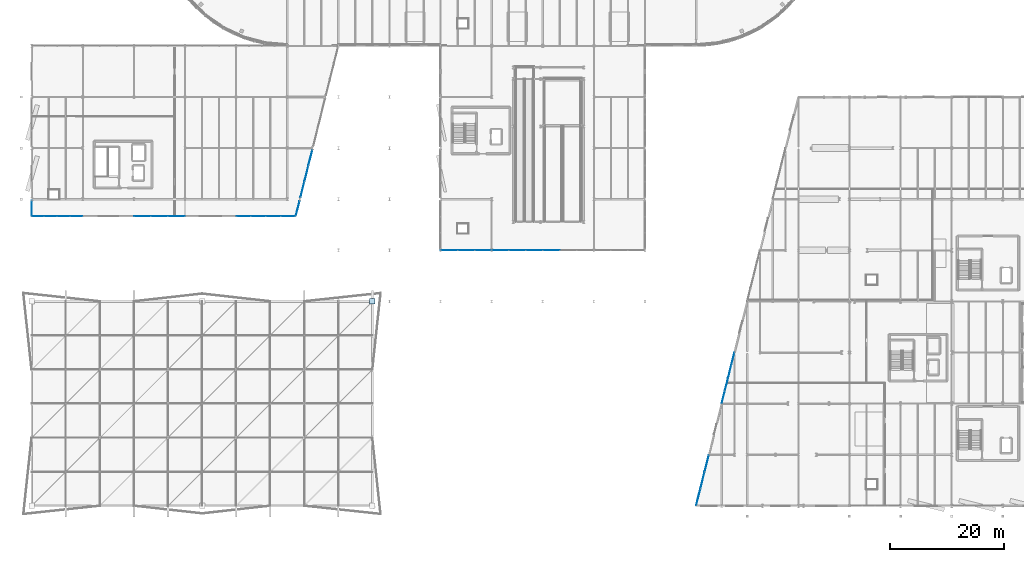
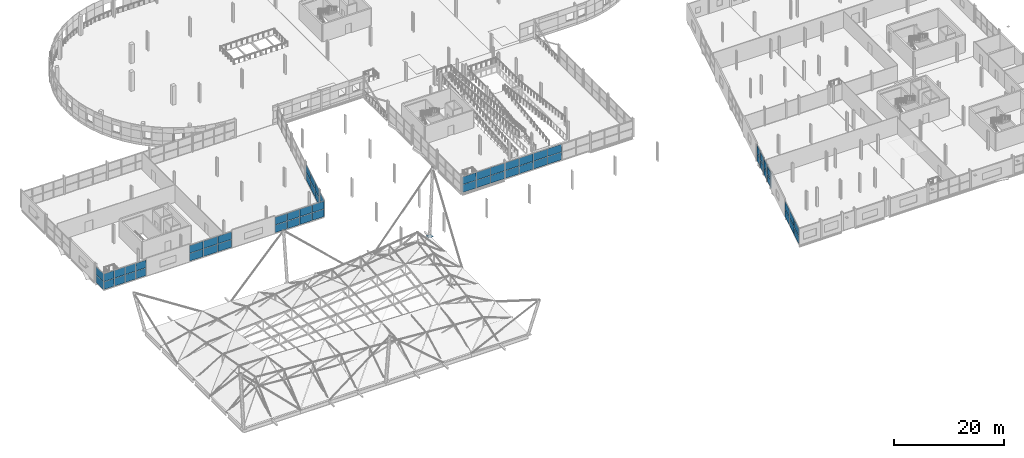
# One storey, part 100 of 132: 61 plates, 10 elements without a shape of their own.
"""IFC4 building model written with IfcOpenShell, lengths in metres."""

from ifc_helpers import new_model, si_unit, direction, frame, origin, origin_2d, place, context, subcontext, project, spatial, rectangle, extrude, material, layer, layer_set, type_object, element, aggregate, save


model = new_model("IFC4")

# Units and contexts
model_context = context("Model", 3, precision=1e-05, world=origin(), true_north=direction((0.0, 1.0)))
body_context = subcontext(model_context, "Body", "Model", "MODEL_VIEW")
ifc_project = project(units=[si_unit("LENGTHUNIT", "METRE"), si_unit("AREAUNIT", "SQUARE_METRE"), si_unit("VOLUMEUNIT", "CUBIC_METRE"), si_unit("PLANEANGLEUNIT", "RADIAN"), si_unit("MASSUNIT", "GRAM", prefix="KILO")], contexts=[model_context])

# Site, building, storey
site_placement = place(None, origin())
site = spatial("IfcSite", under=ifc_project, at=site_placement, CompositionType="ELEMENT")
building_placement = place(site_placement, origin())
building = spatial("IfcBuilding", under=site, at=building_placement, Name="Deido Ridge Mobility Hub", CompositionType="ELEMENT")
storey_placement = place(building_placement, frame((0.0, 0.0, 8.39990234375)))
storey = spatial("IfcBuildingStorey", under=building, at=storey_placement, Name="L02", CompositionType="ELEMENT", Elevation=8.39990234375)

# Curtain wall, plates
ifc_material_1 = material(Name="Anodised aluminium EN AW-6063 T6", Category="aluminium")
ifc_layer_1 = layer(ifc_material_1, 0.179931640625, Name="Anodised aluminium EN AW-6063 T6")
ifc_layer_set_1 = layer_set([ifc_layer_1], Name="Anodised aluminium EN AW-6063 T6")
curtain_wall_type_1 = type_object("IfcCurtainWallType", Name="CW-UF-2", PredefinedType="USERDEFINED", material=ifc_layer_set_1)
curtain_wall_1_placement = place(storey_placement, origin())
curtain_wall_1 = element("IfcCurtainWall", 1, at=curtain_wall_1_placement, inside=storey, type_object=curtain_wall_type_1, Name="Unitised curtain wall CW2", ObjectType="UNITISED FACADE", PredefinedType="USERDEFINED")
ifc_material_2 = material(Name="Laminated solar-control low-E glass", Category="glass")
ifc_layer_2 = layer(ifc_material_2, 0.02587890625, Name="Laminated solar-control low-E glass")
ifc_layer_set_2 = layer_set([ifc_layer_2], Name="Laminated solar-control low-E glass")
plate_type_1 = type_object("IfcPlateType", Name="PLT-CWP-26", PredefinedType="CURTAIN_PANEL", material=ifc_layer_set_2)
plate_1_placement = place(storey_placement, frame((121.7841796875, 19.13720703125, 0.050048828125), z_axis=(0.0, 0.0, 1.0), x_axis=(0.242535625038, 0.970142500145, 0.0)))
plate_1 = element("IfcPlate", 2, at=plate_1_placement, type_object=plate_type_1, Name="CW2 panel 1.1", PredefinedType="CURTAIN_PANEL", context=body_context, shape_type="SweptSolid", body=[
    extrude(rectangle(XDim=2.244140625, YDim=0.02587890625, at=origin_2d()), origin(), (0.0, 0.0, 1.0), 1.72509765625),
])
plate_2_placement = place(storey_placement, frame((121.7841796875, 19.13720703125, 1.824951171875), z_axis=(0.0, 0.0, 1.0), x_axis=(0.242535625038, 0.970142500145, 0.0)))
plate_2 = element("IfcPlate", 3, at=plate_2_placement, type_object=plate_type_1, Name="CW2 panel 1.2", PredefinedType="CURTAIN_PANEL", context=body_context, shape_type="SweptSolid", body=[
    extrude(rectangle(XDim=2.244140625, YDim=0.02587890625, at=origin_2d()), origin(), (0.0, 0.0, 1.0), 1.72509765625),
])
plate_3_placement = place(storey_placement, frame((122.34375, 21.375, 0.050048828125), z_axis=(0.0, 0.0, 1.0), x_axis=(0.242535625038, 0.970142500145, 0.0)))
plate_3 = element("IfcPlate", 4, at=plate_3_placement, type_object=plate_type_1, Name="CW2 panel 2.1", PredefinedType="CURTAIN_PANEL", context=body_context, shape_type="SweptSolid", body=[
    extrude(rectangle(XDim=2.269287109375, YDim=0.02587890625, at=origin_2d()), origin(), (0.0, 0.0, 1.0), 1.72509765625),
])
plate_4_placement = place(storey_placement, frame((122.34375, 21.375, 1.824951171875), z_axis=(0.0, 0.0, 1.0), x_axis=(0.242535625038, 0.970142500145, 0.0)))
plate_4 = element("IfcPlate", 5, at=plate_4_placement, type_object=plate_type_1, Name="CW2 panel 2.2", PredefinedType="CURTAIN_PANEL", context=body_context, shape_type="SweptSolid", body=[
    extrude(rectangle(XDim=2.269287109375, YDim=0.02587890625, at=origin_2d()), origin(), (0.0, 0.0, 1.0), 1.72509765625),
])
plate_5_placement = place(storey_placement, frame((122.90625, 23.625, 0.050048828125), z_axis=(0.0, 0.0, 1.0), x_axis=(0.242535625038, 0.970142500145, 0.0)))
plate_5 = element("IfcPlate", 6, at=plate_5_placement, type_object=plate_type_1, Name="CW2 panel 3.1", PredefinedType="CURTAIN_PANEL", context=body_context, shape_type="SweptSolid", body=[
    extrude(rectangle(XDim=2.269287109375, YDim=0.02587890625, at=origin_2d()), origin(), (0.0, 0.0, 1.0), 1.72509765625),
])
plate_6_placement = place(storey_placement, frame((122.90625, 23.625, 1.824951171875), z_axis=(0.0, 0.0, 1.0), x_axis=(0.242535625038, 0.970142500145, 0.0)))
plate_6 = element("IfcPlate", 7, at=plate_6_placement, type_object=plate_type_1, Name="CW2 panel 3.2", PredefinedType="CURTAIN_PANEL", context=body_context, shape_type="SweptSolid", body=[
    extrude(rectangle(XDim=2.269287109375, YDim=0.02587890625, at=origin_2d()), origin(), (0.0, 0.0, 1.0), 1.72509765625),
])
plate_7_placement = place(storey_placement, frame((123.4658203125, 25.86279296875, 0.050048828125), z_axis=(0.0, 0.0, 1.0), x_axis=(0.242535625038, 0.970142500145, 0.0)))
plate_7 = element("IfcPlate", 8, at=plate_7_placement, type_object=plate_type_1, Name="CW2 panel 4.1", PredefinedType="CURTAIN_PANEL", context=body_context, shape_type="SweptSolid", body=[
    extrude(rectangle(XDim=2.244140625, YDim=0.02587890625, at=origin_2d()), origin(), (0.0, 0.0, 1.0), 1.72509765625),
])
plate_8_placement = place(storey_placement, frame((123.4658203125, 25.86279296875, 1.824951171875), z_axis=(0.0, 0.0, 1.0), x_axis=(0.242535625038, 0.970142500145, 0.0)))
plate_8 = element("IfcPlate", 9, at=plate_8_placement, type_object=plate_type_1, Name="CW2 panel 4.2", PredefinedType="CURTAIN_PANEL", context=body_context, shape_type="SweptSolid", body=[
    extrude(rectangle(XDim=2.244140625, YDim=0.02587890625, at=origin_2d()), origin(), (0.0, 0.0, 1.0), 1.72509765625),
])
aggregate(curtain_wall_1, [plate_1, plate_2, plate_3, plate_4, plate_5, plate_6, plate_7, plate_8])

ifc_layer_3 = layer(ifc_material_1, 0.195068359375, Name="Anodised aluminium EN AW-6063 T6")
ifc_layer_set_3 = layer_set([ifc_layer_3], Name="Anodised aluminium EN AW-6063 T6")
curtain_wall_type_2 = type_object("IfcCurtainWallType", Name="CW-UF-3", PredefinedType="USERDEFINED", material=ifc_layer_set_3)
curtain_wall_2_placement = place(storey_placement, origin())
curtain_wall_2 = element("IfcCurtainWall", 10, at=curtain_wall_2_placement, inside=storey, type_object=curtain_wall_type_2, Name="Unitised curtain wall CW3", ObjectType="UNITISED FACADE", PredefinedType="USERDEFINED")
ifc_layer_4 = layer(ifc_material_2, 0.031005859375, Name="Laminated solar-control low-E glass")
ifc_layer_set_4 = layer_set([ifc_layer_4], Name="Laminated solar-control low-E glass")
plate_type_2 = type_object("IfcPlateType", Name="PLT-CWP-31", PredefinedType="CURTAIN_PANEL", material=ifc_layer_set_4)
plate_9_placement = place(storey_placement, frame((0.0, 52.375, 0.06005859375), z_axis=(0.0, 0.0, 1.0), x_axis=(0.0, 1.0, 0.0)))
plate_9 = element("IfcPlate", 11, at=plate_9_placement, type_object=plate_type_2, Name="CW3 panel 1.1", PredefinedType="CURTAIN_PANEL", context=body_context, shape_type="SweptSolid", body=[
    extrude(rectangle(XDim=2.6298828125, YDim=0.031005859375, at=origin_2d()), origin(), (0.0, 0.0, 1.0), 1.7099609375),
])
plate_10_placement = place(storey_placement, frame((0.0, 52.375, 1.830078125), z_axis=(0.0, 0.0, 1.0), x_axis=(0.0, 1.0, 0.0)))
plate_10 = element("IfcPlate", 12, at=plate_10_placement, type_object=plate_type_2, Name="CW3 panel 1.2", PredefinedType="CURTAIN_PANEL", context=body_context, shape_type="SweptSolid", body=[
    extrude(rectangle(XDim=2.6298828125, YDim=0.031005859375, at=origin_2d()), origin(), (0.0, 0.0, 1.0), 1.7099609375),
])
aggregate(curtain_wall_2, [plate_9, plate_10])

ifc_layer_5 = layer(ifc_material_1, 0.132080078125, Name="Anodised aluminium EN AW-6063 T6")
ifc_layer_set_5 = layer_set([ifc_layer_5], Name="Anodised aluminium EN AW-6063 T6")
curtain_wall_type_3 = type_object("IfcCurtainWallType", Name="CW-GS-1", PredefinedType="USERDEFINED", material=ifc_layer_set_5)
curtain_wall_3_placement = place(storey_placement, origin())
curtain_wall_3 = element("IfcCurtainWall", 13, at=curtain_wall_3_placement, inside=storey, type_object=curtain_wall_type_3, Name="Unitised curtain wall GS1", ObjectType="GLAZED SCREEN", PredefinedType="USERDEFINED")
ifc_layer_6 = layer(ifc_material_2, 0.032958984375, Name="Laminated solar-control low-E glass")
ifc_layer_set_6 = layer_set([ifc_layer_6], Name="Laminated solar-control low-E glass")
plate_type_3 = type_object("IfcPlateType", Name="PLT-CWP-33", PredefinedType="CURTAIN_PANEL", material=ifc_layer_set_6)
plate_11_placement = place(storey_placement, frame((1.141357421875, 51.0, 0.06494140625), z_axis=(0.0, 0.0, 1.0), x_axis=(1.0, 0.0, 0.0)))
plate_11 = element("IfcPlate", 14, at=plate_11_placement, type_object=plate_type_3, Name="GS1 panel 1.1", PredefinedType="CURTAIN_PANEL", context=body_context, shape_type="SweptSolid", body=[
    extrude(rectangle(XDim=2.152587890625, YDim=0.032958984375, at=origin_2d()), origin(), (0.0, 0.0, 1.0), 1.702392578125),
])
plate_12_placement = place(storey_placement, frame((1.141357421875, 51.0, 1.83251953125), z_axis=(0.0, 0.0, 1.0), x_axis=(1.0, 0.0, 0.0)))
plate_12 = element("IfcPlate", 15, at=plate_12_placement, type_object=plate_type_3, Name="GS1 panel 1.2", PredefinedType="CURTAIN_PANEL", context=body_context, shape_type="SweptSolid", body=[
    extrude(rectangle(XDim=2.152587890625, YDim=0.032958984375, at=origin_2d()), origin(), (0.0, 0.0, 1.0), 1.702392578125),
])
plate_13_placement = place(storey_placement, frame((3.375, 51.0, 0.06494140625), z_axis=(0.0, 0.0, 1.0), x_axis=(1.0, 0.0, 0.0)))
plate_13 = element("IfcPlate", 16, at=plate_13_placement, type_object=plate_type_3, Name="GS1 panel 2.1", PredefinedType="CURTAIN_PANEL", context=body_context, shape_type="SweptSolid", body=[
    extrude(rectangle(XDim=2.18505859375, YDim=0.032958984375, at=origin_2d()), origin(), (0.0, 0.0, 1.0), 1.702392578125),
])
plate_14_placement = place(storey_placement, frame((3.375, 51.0, 1.83251953125), z_axis=(0.0, 0.0, 1.0), x_axis=(1.0, 0.0, 0.0)))
plate_14 = element("IfcPlate", 17, at=plate_14_placement, type_object=plate_type_3, Name="GS1 panel 2.2", PredefinedType="CURTAIN_PANEL", context=body_context, shape_type="SweptSolid", body=[
    extrude(rectangle(XDim=2.18505859375, YDim=0.032958984375, at=origin_2d()), origin(), (0.0, 0.0, 1.0), 1.702392578125),
])
plate_15_placement = place(storey_placement, frame((5.625, 51.0, 0.06494140625), z_axis=(0.0, 0.0, 1.0), x_axis=(1.0, 0.0, 0.0)))
plate_15 = element("IfcPlate", 18, at=plate_15_placement, type_object=plate_type_3, Name="GS1 panel 3.1", PredefinedType="CURTAIN_PANEL", context=body_context, shape_type="SweptSolid", body=[
    extrude(rectangle(XDim=2.18505859375, YDim=0.032958984375, at=origin_2d()), origin(), (0.0, 0.0, 1.0), 1.702392578125),
])
plate_16_placement = place(storey_placement, frame((5.625, 51.0, 1.83251953125), z_axis=(0.0, 0.0, 1.0), x_axis=(1.0, 0.0, 0.0)))
plate_16 = element("IfcPlate", 19, at=plate_16_placement, type_object=plate_type_3, Name="GS1 panel 3.2", PredefinedType="CURTAIN_PANEL", context=body_context, shape_type="SweptSolid", body=[
    extrude(rectangle(XDim=2.18505859375, YDim=0.032958984375, at=origin_2d()), origin(), (0.0, 0.0, 1.0), 1.702392578125),
])
plate_17_placement = place(storey_placement, frame((7.858642578125, 51.0, 0.06494140625), z_axis=(0.0, 0.0, 1.0), x_axis=(1.0, 0.0, 0.0)))
plate_17 = element("IfcPlate", 20, at=plate_17_placement, type_object=plate_type_3, Name="GS1 panel 4.1", PredefinedType="CURTAIN_PANEL", context=body_context, shape_type="SweptSolid", body=[
    extrude(rectangle(XDim=2.152587890625, YDim=0.032958984375, at=origin_2d()), origin(), (0.0, 0.0, 1.0), 1.702392578125),
])
plate_18_placement = place(storey_placement, frame((7.858642578125, 51.0, 1.83251953125), z_axis=(0.0, 0.0, 1.0), x_axis=(1.0, 0.0, 0.0)))
plate_18 = element("IfcPlate", 21, at=plate_18_placement, type_object=plate_type_3, Name="GS1 panel 4.2", PredefinedType="CURTAIN_PANEL", context=body_context, shape_type="SweptSolid", body=[
    extrude(rectangle(XDim=2.152587890625, YDim=0.032958984375, at=origin_2d()), origin(), (0.0, 0.0, 1.0), 1.702392578125),
])
aggregate(curtain_wall_3, [plate_11, plate_12, plate_13, plate_14, plate_15, plate_16, plate_17, plate_18])

ifc_layer_7 = layer(ifc_material_1, 0.16796875, Name="Anodised aluminium EN AW-6063 T6")
ifc_layer_set_7 = layer_set([ifc_layer_7], Name="Anodised aluminium EN AW-6063 T6")
curtain_wall_type_4 = type_object("IfcCurtainWallType", Name="CW-GS-4", PredefinedType="USERDEFINED", material=ifc_layer_set_7)
curtain_wall_4_placement = place(storey_placement, origin())
curtain_wall_4 = element("IfcCurtainWall", 22, at=curtain_wall_4_placement, inside=storey, type_object=curtain_wall_type_4, Name="Unitised curtain wall GS4", ObjectType="GLAZED SCREEN", PredefinedType="USERDEFINED")
plate_19_placement = place(storey_placement, frame((73.52099609375, 45.0, 0.06494140625), z_axis=(0.0, 0.0, 1.0), x_axis=(1.0, 0.0, 0.0)))
plate_19 = element("IfcPlate", 23, at=plate_19_placement, type_object=plate_type_3, Name="GS4 panel 1.1", PredefinedType="CURTAIN_PANEL", context=body_context, shape_type="SweptSolid", body=[
    extrude(rectangle(XDim=2.897705078125, YDim=0.032958984375, at=origin_2d()), origin(), (0.0, 0.0, 1.0), 1.702392578125),
])
plate_20_placement = place(storey_placement, frame((73.52099609375, 45.0, 1.83251953125), z_axis=(0.0, 0.0, 1.0), x_axis=(1.0, 0.0, 0.0)))
plate_20 = element("IfcPlate", 24, at=plate_20_placement, type_object=plate_type_3, Name="GS4 panel 1.2", PredefinedType="CURTAIN_PANEL", context=body_context, shape_type="SweptSolid", body=[
    extrude(rectangle(XDim=2.897705078125, YDim=0.032958984375, at=origin_2d()), origin(), (0.0, 0.0, 1.0), 1.702392578125),
])
plate_21_placement = place(storey_placement, frame((76.5, 45.0, 0.06494140625), z_axis=(0.0, 0.0, 1.0), x_axis=(1.0, 0.0, 0.0)))
plate_21 = element("IfcPlate", 25, at=plate_21_placement, type_object=plate_type_3, Name="GS4 panel 2.1", PredefinedType="CURTAIN_PANEL", context=body_context, shape_type="SweptSolid", body=[
    extrude(rectangle(XDim=2.93017578125, YDim=0.032958984375, at=origin_2d()), origin(), (0.0, 0.0, 1.0), 1.702392578125),
])
plate_22_placement = place(storey_placement, frame((76.5, 45.0, 1.83251953125), z_axis=(0.0, 0.0, 1.0), x_axis=(1.0, 0.0, 0.0)))
plate_22 = element("IfcPlate", 26, at=plate_22_placement, type_object=plate_type_3, Name="GS4 panel 2.2", PredefinedType="CURTAIN_PANEL", context=body_context, shape_type="SweptSolid", body=[
    extrude(rectangle(XDim=2.93017578125, YDim=0.032958984375, at=origin_2d()), origin(), (0.0, 0.0, 1.0), 1.702392578125),
])
plate_23_placement = place(storey_placement, frame((79.47900390625, 45.0, 0.06494140625), z_axis=(0.0, 0.0, 1.0), x_axis=(1.0, 0.0, 0.0)))
plate_23 = element("IfcPlate", 27, at=plate_23_placement, type_object=plate_type_3, Name="GS4 panel 3.1", PredefinedType="CURTAIN_PANEL", context=body_context, shape_type="SweptSolid", body=[
    extrude(rectangle(XDim=2.897705078125, YDim=0.032958984375, at=origin_2d()), origin(), (0.0, 0.0, 1.0), 1.702392578125),
])
plate_24_placement = place(storey_placement, frame((79.47900390625, 45.0, 1.83251953125), z_axis=(0.0, 0.0, 1.0), x_axis=(1.0, 0.0, 0.0)))
plate_24 = element("IfcPlate", 28, at=plate_24_placement, type_object=plate_type_3, Name="GS4 panel 3.2", PredefinedType="CURTAIN_PANEL", context=body_context, shape_type="SweptSolid", body=[
    extrude(rectangle(XDim=2.897705078125, YDim=0.032958984375, at=origin_2d()), origin(), (0.0, 0.0, 1.0), 1.702392578125),
])
aggregate(curtain_wall_4, [plate_19, plate_20, plate_21, plate_22, plate_23, plate_24])

curtain_wall_5_placement = place(storey_placement, origin())
curtain_wall_5 = element("IfcCurtainWall", 29, at=curtain_wall_5_placement, inside=storey, type_object=curtain_wall_type_4, Name="Unitised curtain wall GS4", ObjectType="GLAZED SCREEN", PredefinedType="USERDEFINED")
plate_25_placement = place(storey_placement, frame((82.522216796875, 45.0, 0.06494140625), z_axis=(0.0, 0.0, 1.0), x_axis=(1.0, 0.0, 0.0)))
plate_25 = element("IfcPlate", 30, at=plate_25_placement, type_object=plate_type_3, Name="GS4 panel 1.1", PredefinedType="CURTAIN_PANEL", context=body_context, shape_type="SweptSolid", body=[
    extrude(rectangle(XDim=2.900146484375, YDim=0.032958984375, at=origin_2d()), origin(), (0.0, 0.0, 1.0), 1.702392578125),
])
plate_26_placement = place(storey_placement, frame((82.522216796875, 45.0, 1.83251953125), z_axis=(0.0, 0.0, 1.0), x_axis=(1.0, 0.0, 0.0)))
plate_26 = element("IfcPlate", 31, at=plate_26_placement, type_object=plate_type_3, Name="GS4 panel 1.2", PredefinedType="CURTAIN_PANEL", context=body_context, shape_type="SweptSolid", body=[
    extrude(rectangle(XDim=2.900146484375, YDim=0.032958984375, at=origin_2d()), origin(), (0.0, 0.0, 1.0), 1.702392578125),
])
plate_27_placement = place(storey_placement, frame((85.503662109375, 45.0, 0.06494140625), z_axis=(0.0, 0.0, 1.0), x_axis=(1.0, 0.0, 0.0)))
plate_27 = element("IfcPlate", 32, at=plate_27_placement, type_object=plate_type_3, Name="GS4 panel 2.1", PredefinedType="CURTAIN_PANEL", context=body_context, shape_type="SweptSolid", body=[
    extrude(rectangle(XDim=2.9326171875, YDim=0.032958984375, at=origin_2d()), origin(), (0.0, 0.0, 1.0), 1.702392578125),
])
plate_28_placement = place(storey_placement, frame((85.503662109375, 45.0, 1.83251953125), z_axis=(0.0, 0.0, 1.0), x_axis=(1.0, 0.0, 0.0)))
plate_28 = element("IfcPlate", 33, at=plate_28_placement, type_object=plate_type_3, Name="GS4 panel 2.2", PredefinedType="CURTAIN_PANEL", context=body_context, shape_type="SweptSolid", body=[
    extrude(rectangle(XDim=2.9326171875, YDim=0.032958984375, at=origin_2d()), origin(), (0.0, 0.0, 1.0), 1.702392578125),
])
plate_29_placement = place(storey_placement, frame((88.501220703125, 45.0, 0.06494140625), z_axis=(0.0, 0.0, 1.0), x_axis=(1.0, 0.0, 0.0)))
plate_29 = element("IfcPlate", 34, at=plate_29_placement, type_object=plate_type_3, Name="GS4 panel 3.1", PredefinedType="CURTAIN_PANEL", context=body_context, shape_type="SweptSolid", body=[
    extrude(rectangle(XDim=2.9326171875, YDim=0.032958984375, at=origin_2d()), origin(), (0.0, 0.0, 1.0), 1.702392578125),
])
plate_30_placement = place(storey_placement, frame((88.501220703125, 45.0, 1.83251953125), z_axis=(0.0, 0.0, 1.0), x_axis=(1.0, 0.0, 0.0)))
plate_30 = element("IfcPlate", 35, at=plate_30_placement, type_object=plate_type_3, Name="GS4 panel 3.2", PredefinedType="CURTAIN_PANEL", context=body_context, shape_type="SweptSolid", body=[
    extrude(rectangle(XDim=2.9326171875, YDim=0.032958984375, at=origin_2d()), origin(), (0.0, 0.0, 1.0), 1.702392578125),
])
plate_31_placement = place(storey_placement, frame((91.498779296875, 45.0, 0.06494140625), z_axis=(0.0, 0.0, 1.0), x_axis=(1.0, 0.0, 0.0)))
plate_31 = element("IfcPlate", 36, at=plate_31_placement, type_object=plate_type_3, Name="GS4 panel 4.1", PredefinedType="CURTAIN_PANEL", context=body_context, shape_type="SweptSolid", body=[
    extrude(rectangle(XDim=2.9326171875, YDim=0.032958984375, at=origin_2d()), origin(), (0.0, 0.0, 1.0), 1.702392578125),
])
plate_32_placement = place(storey_placement, frame((91.498779296875, 45.0, 1.83251953125), z_axis=(0.0, 0.0, 1.0), x_axis=(1.0, 0.0, 0.0)))
plate_32 = element("IfcPlate", 37, at=plate_32_placement, type_object=plate_type_3, Name="GS4 panel 4.2", PredefinedType="CURTAIN_PANEL", context=body_context, shape_type="SweptSolid", body=[
    extrude(rectangle(XDim=2.9326171875, YDim=0.032958984375, at=origin_2d()), origin(), (0.0, 0.0, 1.0), 1.702392578125),
])
aggregate(curtain_wall_5, [plate_25, plate_26, plate_27, plate_28, plate_29, plate_30, plate_31, plate_32])

ifc_layer_8 = layer(ifc_material_1, 0.156005859375, Name="Anodised aluminium EN AW-6063 T6")
ifc_layer_set_8 = layer_set([ifc_layer_8], Name="Anodised aluminium EN AW-6063 T6")
curtain_wall_type_5 = type_object("IfcCurtainWallType", Name="CW-GS-3", PredefinedType="USERDEFINED", material=ifc_layer_set_8)
curtain_wall_6_placement = place(storey_placement, origin())
curtain_wall_6 = element("IfcCurtainWall", 38, at=curtain_wall_6_placement, inside=storey, type_object=curtain_wall_type_5, Name="Unitised curtain wall GS3", ObjectType="GLAZED SCREEN", PredefinedType="USERDEFINED")
ifc_layer_9 = layer(ifc_material_2, 0.037109375, Name="Laminated solar-control low-E glass")
ifc_layer_set_9 = layer_set([ifc_layer_9], Name="Laminated solar-control low-E glass")
plate_type_4 = type_object("IfcPlateType", Name="PLT-CWP-37", PredefinedType="CURTAIN_PANEL", material=ifc_layer_set_9)
plate_33_placement = place(storey_placement, frame((19.518798828125, 51.0, 0.0751953125), z_axis=(0.0, 0.0, 1.0), x_axis=(1.0, 0.0, 0.0)))
plate_33 = element("IfcPlate", 39, at=plate_33_placement, type_object=plate_type_4, Name="GS3 panel 1.1", PredefinedType="CURTAIN_PANEL", context=body_context, shape_type="SweptSolid", body=[
    extrude(rectangle(XDim=2.887451171875, YDim=0.037109375, at=origin_2d()), origin(), (0.0, 0.0, 1.0), 1.6875),
])
plate_34_placement = place(storey_placement, frame((19.518798828125, 51.0, 1.837646484375), z_axis=(0.0, 0.0, 1.0), x_axis=(1.0, 0.0, 0.0)))
plate_34 = element("IfcPlate", 40, at=plate_34_placement, type_object=plate_type_4, Name="GS3 panel 1.2", PredefinedType="CURTAIN_PANEL", context=body_context, shape_type="SweptSolid", body=[
    extrude(rectangle(XDim=2.887451171875, YDim=0.037109375, at=origin_2d()), origin(), (0.0, 0.0, 1.0), 1.6875),
])
plate_35_placement = place(storey_placement, frame((22.5, 51.0, 0.0751953125), z_axis=(0.0, 0.0, 1.0), x_axis=(1.0, 0.0, 0.0)))
plate_35 = element("IfcPlate", 41, at=plate_35_placement, type_object=plate_type_4, Name="GS3 panel 2.1", PredefinedType="CURTAIN_PANEL", context=body_context, shape_type="SweptSolid", body=[
    extrude(rectangle(XDim=2.925048828125, YDim=0.037109375, at=origin_2d()), origin(), (0.0, 0.0, 1.0), 1.6875),
])
plate_36_placement = place(storey_placement, frame((22.5, 51.0, 1.837646484375), z_axis=(0.0, 0.0, 1.0), x_axis=(1.0, 0.0, 0.0)))
plate_36 = element("IfcPlate", 42, at=plate_36_placement, type_object=plate_type_4, Name="GS3 panel 2.2", PredefinedType="CURTAIN_PANEL", context=body_context, shape_type="SweptSolid", body=[
    extrude(rectangle(XDim=2.925048828125, YDim=0.037109375, at=origin_2d()), origin(), (0.0, 0.0, 1.0), 1.6875),
])
plate_37_placement = place(storey_placement, frame((25.481201171875, 51.0, 0.0751953125), z_axis=(0.0, 0.0, 1.0), x_axis=(1.0, 0.0, 0.0)))
plate_37 = element("IfcPlate", 43, at=plate_37_placement, type_object=plate_type_4, Name="GS3 panel 3.1", PredefinedType="CURTAIN_PANEL", context=body_context, shape_type="SweptSolid", body=[
    extrude(rectangle(XDim=2.887451171875, YDim=0.037109375, at=origin_2d()), origin(), (0.0, 0.0, 1.0), 1.6875),
])
plate_38_placement = place(storey_placement, frame((25.481201171875, 51.0, 1.837646484375), z_axis=(0.0, 0.0, 1.0), x_axis=(1.0, 0.0, 0.0)))
plate_38 = element("IfcPlate", 44, at=plate_38_placement, type_object=plate_type_4, Name="GS3 panel 3.2", PredefinedType="CURTAIN_PANEL", context=body_context, shape_type="SweptSolid", body=[
    extrude(rectangle(XDim=2.887451171875, YDim=0.037109375, at=origin_2d()), origin(), (0.0, 0.0, 1.0), 1.6875),
])
aggregate(curtain_wall_6, [plate_33, plate_34, plate_35, plate_36, plate_37, plate_38])

ifc_layer_10 = layer(ifc_material_1, 0.22509765625, Name="Anodised aluminium EN AW-6063 T6")
ifc_layer_set_10 = layer_set([ifc_layer_10], Name="Anodised aluminium EN AW-6063 T6")
curtain_wall_type_6 = type_object("IfcCurtainWallType", Name="CW-UF-5", PredefinedType="USERDEFINED", material=ifc_layer_set_10)
curtain_wall_7_placement = place(storey_placement, origin())
curtain_wall_7 = element("IfcCurtainWall", 45, at=curtain_wall_7_placement, inside=storey, type_object=curtain_wall_type_6, Name="Unitised curtain wall CW5", ObjectType="UNITISED FACADE", PredefinedType="USERDEFINED")
plate_39_placement = place(storey_placement, frame((46.84130859375, 52.36474609375, 0.0751953125), z_axis=(0.0, 0.0, 1.0), x_axis=(0.242552351592, 0.970138318353, 0.0)))
plate_39 = element("IfcPlate", 46, at=plate_39_placement, type_object=plate_type_4, Name="CW5 panel 1.1", PredefinedType="CURTAIN_PANEL", context=body_context, shape_type="SweptSolid", body=[
    extrude(rectangle(XDim=2.663330078125, YDim=0.037109375, at=origin_2d()), origin(), (0.0, 0.0, 1.0), 1.6875),
])
plate_40_placement = place(storey_placement, frame((46.84130859375, 52.36474609375, 1.837646484375), z_axis=(0.0, 0.0, 1.0), x_axis=(0.242552351592, 0.970138318353, 0.0)))
plate_40 = element("IfcPlate", 47, at=plate_40_placement, type_object=plate_type_4, Name="CW5 panel 1.2", PredefinedType="CURTAIN_PANEL", context=body_context, shape_type="SweptSolid", body=[
    extrude(rectangle(XDim=2.663330078125, YDim=0.037109375, at=origin_2d()), origin(), (0.0, 0.0, 1.0), 1.6875),
])
aggregate(curtain_wall_7, [plate_39, plate_40])

ifc_layer_11 = layer(ifc_material_1, 0.239990234375, Name="Anodised aluminium EN AW-6063 T6")
ifc_layer_set_11 = layer_set([ifc_layer_11], Name="Anodised aluminium EN AW-6063 T6")
curtain_wall_type_7 = type_object("IfcCurtainWallType", Name="CW-UF-6", PredefinedType="USERDEFINED", material=ifc_layer_set_11)
curtain_wall_8_placement = place(storey_placement, origin())
curtain_wall_8 = element("IfcCurtainWall", 48, at=curtain_wall_8_placement, inside=storey, type_object=curtain_wall_type_7, Name="Unitised curtain wall CW6", ObjectType="UNITISED FACADE", PredefinedType="USERDEFINED")
ifc_layer_12 = layer(ifc_material_2, 0.0390625, Name="Laminated solar-control low-E glass")
ifc_layer_set_12 = layer_set([ifc_layer_12], Name="Laminated solar-control low-E glass")
plate_type_5 = type_object("IfcPlateType", Name="PLT-CWP-39", PredefinedType="CURTAIN_PANEL", material=ifc_layer_set_12)
plate_41_placement = place(storey_placement, frame((47.6748046875, 55.69970703125, 0.080078125), z_axis=(0.0, 0.0, 1.0), x_axis=(0.242546419373, 0.970139801497, 0.0)))
plate_41 = element("IfcPlate", 49, at=plate_41_placement, type_object=plate_type_5, Name="CW6 panel 1.1", PredefinedType="CURTAIN_PANEL", context=body_context, shape_type="SweptSolid", body=[
    extrude(rectangle(XDim=2.786376953125, YDim=0.0390625, at=origin_2d()), origin(), (0.0, 0.0, 1.0), 1.679931640625),
])
plate_42_placement = place(storey_placement, frame((47.6748046875, 55.69970703125, 1.84033203125), z_axis=(0.0, 0.0, 1.0), x_axis=(0.242546419373, 0.970139801497, 0.0)))
plate_42 = element("IfcPlate", 50, at=plate_42_placement, type_object=plate_type_5, Name="CW6 panel 1.2", PredefinedType="CURTAIN_PANEL", context=body_context, shape_type="SweptSolid", body=[
    extrude(rectangle(XDim=2.786376953125, YDim=0.0390625, at=origin_2d()), origin(), (0.0, 0.0, 1.0), 1.679931640625),
])
plate_43_placement = place(storey_placement, frame((48.375, 58.5, 0.080078125), z_axis=(0.0, 0.0, 1.0), x_axis=(0.242546419373, 0.970139801497, 0.0)))
plate_43 = element("IfcPlate", 51, at=plate_43_placement, type_object=plate_type_5, Name="CW6 panel 2.1", PredefinedType="CURTAIN_PANEL", context=body_context, shape_type="SweptSolid", body=[
    extrude(rectangle(XDim=2.826416015625, YDim=0.0390625, at=origin_2d()), origin(), (0.0, 0.0, 1.0), 1.679931640625),
])
plate_44_placement = place(storey_placement, frame((48.375, 58.5, 1.84033203125), z_axis=(0.0, 0.0, 1.0), x_axis=(0.242546419373, 0.970139801497, 0.0)))
plate_44 = element("IfcPlate", 52, at=plate_44_placement, type_object=plate_type_5, Name="CW6 panel 2.2", PredefinedType="CURTAIN_PANEL", context=body_context, shape_type="SweptSolid", body=[
    extrude(rectangle(XDim=2.826416015625, YDim=0.0390625, at=origin_2d()), origin(), (0.0, 0.0, 1.0), 1.679931640625),
])
plate_45_placement = place(storey_placement, frame((49.0751953125, 61.30029296875, 0.080078125), z_axis=(0.0, 0.0, 1.0), x_axis=(0.242546419373, 0.970139801497, 0.0)))
plate_45 = element("IfcPlate", 53, at=plate_45_placement, type_object=plate_type_5, Name="CW6 panel 3.1", PredefinedType="CURTAIN_PANEL", context=body_context, shape_type="SweptSolid", body=[
    extrude(rectangle(XDim=2.786376953125, YDim=0.0390625, at=origin_2d()), origin(), (0.0, 0.0, 1.0), 1.679931640625),
])
plate_46_placement = place(storey_placement, frame((49.0751953125, 61.30029296875, 1.84033203125), z_axis=(0.0, 0.0, 1.0), x_axis=(0.242546419373, 0.970139801497, 0.0)))
plate_46 = element("IfcPlate", 54, at=plate_46_placement, type_object=plate_type_5, Name="CW6 panel 3.2", PredefinedType="CURTAIN_PANEL", context=body_context, shape_type="SweptSolid", body=[
    extrude(rectangle(XDim=2.786376953125, YDim=0.0390625, at=origin_2d()), origin(), (0.0, 0.0, 1.0), 1.679931640625),
])
aggregate(curtain_wall_8, [plate_41, plate_42, plate_43, plate_44, plate_45, plate_46])

ifc_layer_13 = layer(ifc_material_1, 0.27001953125, Name="Anodised aluminium EN AW-6063 T6")
ifc_layer_set_13 = layer_set([ifc_layer_13], Name="Anodised aluminium EN AW-6063 T6")
curtain_wall_type_8 = type_object("IfcCurtainWallType", Name="CW-UF-8", PredefinedType="USERDEFINED", material=ifc_layer_set_13)
curtain_wall_9_placement = place(storey_placement, origin())
curtain_wall_9 = element("IfcCurtainWall", 55, at=curtain_wall_9_placement, inside=storey, type_object=curtain_wall_type_8, Name="Unitised curtain wall CW8", ObjectType="UNITISED FACADE", PredefinedType="USERDEFINED")
plate_47_placement = place(storey_placement, frame((117.3798828125, 1.519287109375, 0.080078125), z_axis=(0.0, 0.0, 1.0), x_axis=(0.242535625038, 0.970142500145, 0.0)))
plate_47 = element("IfcPlate", 56, at=plate_47_placement, type_object=plate_type_5, Name="CW8 panel 1.1", PredefinedType="CURTAIN_PANEL", context=body_context, shape_type="SweptSolid", body=[
    extrude(rectangle(XDim=2.972412109375, YDim=0.0390625, at=origin_2d()), origin(), (0.0, 0.0, 1.0), 1.679931640625),
])
plate_48_placement = place(storey_placement, frame((117.3798828125, 1.519287109375, 1.84033203125), z_axis=(0.0, 0.0, 1.0), x_axis=(0.242535625038, 0.970142500145, 0.0)))
plate_48 = element("IfcPlate", 57, at=plate_48_placement, type_object=plate_type_5, Name="CW8 panel 1.2", PredefinedType="CURTAIN_PANEL", context=body_context, shape_type="SweptSolid", body=[
    extrude(rectangle(XDim=2.972412109375, YDim=0.0390625, at=origin_2d()), origin(), (0.0, 0.0, 1.0), 1.679931640625),
])
plate_49_placement = place(storey_placement, frame((118.125, 4.5, 0.080078125), z_axis=(0.0, 0.0, 1.0), x_axis=(0.242535625038, 0.970142500145, 0.0)))
plate_49 = element("IfcPlate", 58, at=plate_49_placement, type_object=plate_type_5, Name="CW8 panel 2.1", PredefinedType="CURTAIN_PANEL", context=body_context, shape_type="SweptSolid", body=[
    extrude(rectangle(XDim=3.012451171875, YDim=0.0390625, at=origin_2d()), origin(), (0.0, 0.0, 1.0), 1.679931640625),
])
plate_50_placement = place(storey_placement, frame((118.125, 4.5, 1.84033203125), z_axis=(0.0, 0.0, 1.0), x_axis=(0.242535625038, 0.970142500145, 0.0)))
plate_50 = element("IfcPlate", 59, at=plate_50_placement, type_object=plate_type_5, Name="CW8 panel 2.2", PredefinedType="CURTAIN_PANEL", context=body_context, shape_type="SweptSolid", body=[
    extrude(rectangle(XDim=3.012451171875, YDim=0.0390625, at=origin_2d()), origin(), (0.0, 0.0, 1.0), 1.679931640625),
])
plate_51_placement = place(storey_placement, frame((118.8701171875, 7.480712890625, 0.080078125), z_axis=(0.0, 0.0, 1.0), x_axis=(0.242535625038, 0.970142500145, 0.0)))
plate_51 = element("IfcPlate", 60, at=plate_51_placement, type_object=plate_type_5, Name="CW8 panel 3.1", PredefinedType="CURTAIN_PANEL", context=body_context, shape_type="SweptSolid", body=[
    extrude(rectangle(XDim=2.972412109375, YDim=0.0390625, at=origin_2d()), origin(), (0.0, 0.0, 1.0), 1.679931640625),
])
plate_52_placement = place(storey_placement, frame((118.8701171875, 7.480712890625, 1.84033203125), z_axis=(0.0, 0.0, 1.0), x_axis=(0.242535625038, 0.970142500145, 0.0)))
plate_52 = element("IfcPlate", 61, at=plate_52_placement, type_object=plate_type_5, Name="CW8 panel 3.2", PredefinedType="CURTAIN_PANEL", context=body_context, shape_type="SweptSolid", body=[
    extrude(rectangle(XDim=2.972412109375, YDim=0.0390625, at=origin_2d()), origin(), (0.0, 0.0, 1.0), 1.679931640625),
])
aggregate(curtain_wall_9, [plate_47, plate_48, plate_49, plate_50, plate_51, plate_52])

curtain_wall_10_placement = place(storey_placement, origin())
curtain_wall_10 = element("IfcCurtainWall", 62, at=curtain_wall_10_placement, inside=storey, type_object=curtain_wall_type_3, Name="Unitised curtain wall GS1", ObjectType="GLAZED SCREEN", PredefinedType="USERDEFINED")
ifc_layer_14 = layer(ifc_material_2, 0.041015625, Name="Laminated solar-control low-E glass")
ifc_layer_set_14 = layer_set([ifc_layer_14], Name="Laminated solar-control low-E glass")
plate_type_6 = type_object("IfcPlateType", Name="PLT-CWP-41", PredefinedType="CURTAIN_PANEL", material=ifc_layer_set_14)
plate_53_placement = place(storey_placement, frame((37.333740234375, 51.0, 0.0849609375), z_axis=(0.0, 0.0, 1.0), x_axis=(1.0, 0.0, 0.0)))
plate_53 = element("IfcPlate", 63, at=plate_53_placement, type_object=plate_type_6, Name="GS1 panel 1.1", PredefinedType="CURTAIN_PANEL", context=body_context, shape_type="SweptSolid", body=[
    extrude(rectangle(XDim=2.49755859375, YDim=0.041015625, at=origin_2d()), origin(), (0.0, 0.0, 1.0), 1.672607421875),
])
plate_54_placement = place(storey_placement, frame((37.333740234375, 51.0, 1.8427734375), z_axis=(0.0, 0.0, 1.0), x_axis=(1.0, 0.0, 0.0)))
plate_54 = element("IfcPlate", 64, at=plate_54_placement, type_object=plate_type_6, Name="GS1 panel 1.2", PredefinedType="CURTAIN_PANEL", context=body_context, shape_type="SweptSolid", body=[
    extrude(rectangle(XDim=2.49755859375, YDim=0.041015625, at=origin_2d()), origin(), (0.0, 0.0, 1.0), 1.672607421875),
])
plate_55_placement = place(storey_placement, frame((39.9375, 51.0, 0.0849609375), z_axis=(0.0, 0.0, 1.0), x_axis=(1.0, 0.0, 0.0)))
plate_55 = element("IfcPlate", 65, at=plate_55_placement, type_object=plate_type_6, Name="GS1 panel 2.1", PredefinedType="CURTAIN_PANEL", context=body_context, shape_type="SweptSolid", body=[
    extrude(rectangle(XDim=2.5400390625, YDim=0.041015625, at=origin_2d()), origin(), (0.0, 0.0, 1.0), 1.672607421875),
])
plate_56_placement = place(storey_placement, frame((39.9375, 51.0, 1.8427734375), z_axis=(0.0, 0.0, 1.0), x_axis=(1.0, 0.0, 0.0)))
plate_56 = element("IfcPlate", 66, at=plate_56_placement, type_object=plate_type_6, Name="GS1 panel 2.2", PredefinedType="CURTAIN_PANEL", context=body_context, shape_type="SweptSolid", body=[
    extrude(rectangle(XDim=2.5400390625, YDim=0.041015625, at=origin_2d()), origin(), (0.0, 0.0, 1.0), 1.672607421875),
])
plate_57_placement = place(storey_placement, frame((42.5625, 51.0, 0.0849609375), z_axis=(0.0, 0.0, 1.0), x_axis=(1.0, 0.0, 0.0)))
plate_57 = element("IfcPlate", 67, at=plate_57_placement, type_object=plate_type_6, Name="GS1 panel 3.1", PredefinedType="CURTAIN_PANEL", context=body_context, shape_type="SweptSolid", body=[
    extrude(rectangle(XDim=2.5400390625, YDim=0.041015625, at=origin_2d()), origin(), (0.0, 0.0, 1.0), 1.672607421875),
])
plate_58_placement = place(storey_placement, frame((42.5625, 51.0, 1.8427734375), z_axis=(0.0, 0.0, 1.0), x_axis=(1.0, 0.0, 0.0)))
plate_58 = element("IfcPlate", 68, at=plate_58_placement, type_object=plate_type_6, Name="GS1 panel 3.2", PredefinedType="CURTAIN_PANEL", context=body_context, shape_type="SweptSolid", body=[
    extrude(rectangle(XDim=2.5400390625, YDim=0.041015625, at=origin_2d()), origin(), (0.0, 0.0, 1.0), 1.672607421875),
])
plate_59_placement = place(storey_placement, frame((45.166259765625, 51.0, 0.0849609375), z_axis=(0.0, 0.0, 1.0), x_axis=(1.0, 0.0, 0.0)))
plate_59 = element("IfcPlate", 69, at=plate_59_placement, type_object=plate_type_6, Name="GS1 panel 4.1", PredefinedType="CURTAIN_PANEL", context=body_context, shape_type="SweptSolid", body=[
    extrude(rectangle(XDim=2.49755859375, YDim=0.041015625, at=origin_2d()), origin(), (0.0, 0.0, 1.0), 1.672607421875),
])
plate_60_placement = place(storey_placement, frame((45.166259765625, 51.0, 1.8427734375), z_axis=(0.0, 0.0, 1.0), x_axis=(1.0, 0.0, 0.0)))
plate_60 = element("IfcPlate", 70, at=plate_60_placement, type_object=plate_type_6, Name="GS1 panel 4.2", PredefinedType="CURTAIN_PANEL", context=body_context, shape_type="SweptSolid", body=[
    extrude(rectangle(XDim=2.49755859375, YDim=0.041015625, at=origin_2d()), origin(), (0.0, 0.0, 1.0), 1.672607421875),
])
aggregate(curtain_wall_10, [plate_53, plate_54, plate_55, plate_56, plate_57, plate_58, plate_59, plate_60])

# Plate
ifc_material_3 = material(Name="Steel S355J2 EN 10025-2", Category="steel")
ifc_layer_15 = layer(ifc_material_3, 0.0400390625, Name="Steel S355J2 EN 10025-2")
ifc_layer_set_15 = layer_set([ifc_layer_15], Name="Steel S355J2 EN 10025-2")
plate_type_7 = type_object("IfcPlateType", Name="PLT-SHT-40", PredefinedType="SHEET", material=ifc_layer_set_15)
plate_61_placement = place(storey_placement, frame((60.0, 36.0, 0.0), z_axis=(0.0, 0.0, 1.0), x_axis=(1.0, 0.0, 0.0)))
element("IfcPlate", 71, at=plate_61_placement, inside=storey, type_object=plate_type_7, Name="Roof mast M3 base plate", PredefinedType="SHEET", context=body_context, shape_type="SweptSolid", body=[
    extrude(rectangle(XDim=0.949951171875, YDim=0.949951171875, at=origin_2d()), origin(), (0.0, 0.0, 1.0), 0.0400390625),
])

save(model, "model.ifc")
